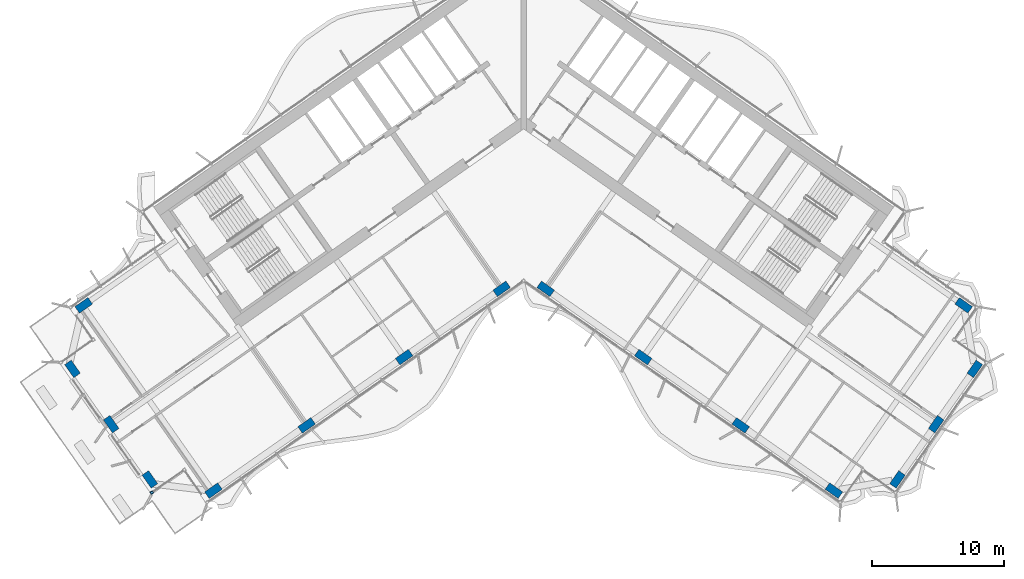
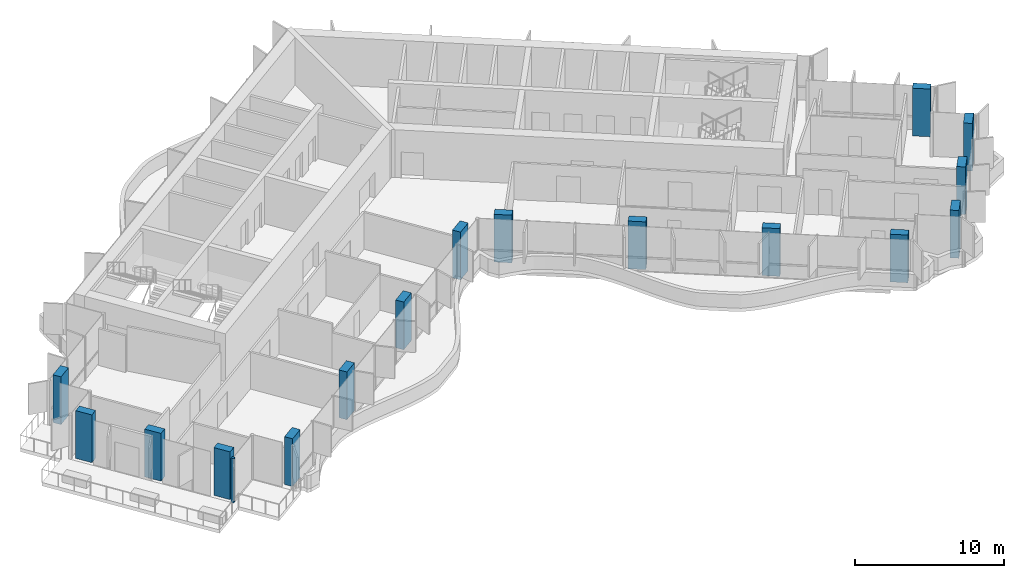
# One storey, part 1 of 22: 16 columns, 1 member, 1 element without a shape of its own.
"""IFC4 building model written with IfcOpenShell, lengths in metres."""

from ifc_helpers import new_model, si_unit, direction, frame, origin, origin_2d, place, context, subcontext, project, spatial, rectangle, extrude, material, material_profile, profile_set, type_object, element, aggregate, save


model = new_model("IFC4")

# Units and contexts
model_context = context("Model", 3, precision=1e-05, world=origin(), true_north=direction((0.0, 1.0)))
body_context = subcontext(model_context, "Body", "Model", "MODEL_VIEW")
ifc_project = project(units=[si_unit("LENGTHUNIT", "METRE"), si_unit("AREAUNIT", "SQUARE_METRE"), si_unit("VOLUMEUNIT", "CUBIC_METRE"), si_unit("PLANEANGLEUNIT", "RADIAN"), si_unit("MASSUNIT", "GRAM", prefix="KILO")], contexts=[model_context])

# Site, building, storey
site_placement = place(None, origin())
site = spatial("IfcSite", under=ifc_project, at=site_placement, CompositionType="ELEMENT")
building_placement = place(site_placement, origin())
building = spatial("IfcBuilding", under=site, at=building_placement, Name="Tel Ilan Convention Tower", CompositionType="ELEMENT")
storey_placement = place(building_placement, frame((0.0, 0.0, 202.199951171875)))
storey = spatial("IfcBuildingStorey", under=building, at=storey_placement, Name="L47", CompositionType="ELEMENT", Elevation=202.199951171875)

# Columns
ifc_material_1 = material(Name="Concrete C50/60", Category="concrete")
ifc_material_profile_1 = material_profile(ifc_material_1, rectangle(XDim=1.199951171875, YDim=0.60009765625, at=origin_2d()), Name="RC 600x1200")
ifc_profile_set_1 = profile_set([ifc_material_profile_1], Name="Concrete C50/60")
column_type = type_object("IfcColumnType", Name="Column RC 600x1200 C50/60", PredefinedType="COLUMN", material=ifc_profile_set_1)
for number, where, z_axis, x_axis, name in (
    (1, (-1.665283203125, -13.312744140625, 0.0), (0.0, 0.0, 1.0), (-0.819152044289, -0.573576436351, 0.0), "L47 column W-F1"),
    (2, (-9.03759765625, -18.474853515625, 0.0), (0.0, 0.0, 1.0), (-0.819152044289, -0.573576436351, 0.0), "L47 column W-F2"),
    (3, (-16.409912109375, -23.63720703125, 0.0), (0.0, 0.0, 1.0), (-0.819152044289, -0.573576436351, 0.0), "L47 column W-F3"),
    (4, (-23.45458984375, -28.56982421875, 0.0), (0.0, 0.0, 1.0), (-0.819152044289, -0.573576436351, 0.0), "L47 column W-FC"),
    (5, (-33.262939453125, -14.5625, 0.0), (0.0, 0.0, 1.0), (-0.819152044289, -0.573576436351, 0.0), "L47 column W-BC"),
    (6, (-28.259521484375, -27.72265625, 0.0), (0.0, 0.0, 1.0), (-0.573576436351, 0.819152044289, 0.0), "L47 column W-E1"),
    (7, (-31.184814453125, -23.544921875, 0.0), (0.0, 0.0, 1.0), (-0.573576436351, 0.819152044289, 0.0), "L47 column W-E2"),
    (8, (-34.110107421875, -19.3671875, 0.0), (0.0, 0.0, 1.0), (-0.573576436351, 0.819152044289, 0.0), "L47 column W-E3"),
    (9, (1.665283203125, -13.312744140625, 0.0), (0.0, 0.0, 1.0), (0.819152044289, -0.573576436351, 0.0), "L47 column E-F1"),
    (10, (9.03759765625, -18.474853515625, 0.0), (0.0, 0.0, 1.0), (0.819152044289, -0.573576436351, 0.0), "L47 column E-F2"),
    (11, (16.409912109375, -23.63720703125, 0.0), (0.0, 0.0, 1.0), (0.819152044289, -0.573576436351, 0.0), "L47 column E-F3"),
    (12, (23.45458984375, -28.56982421875, 0.0), (0.0, 0.0, 1.0), (0.819152044289, -0.573576436351, 0.0), "L47 column E-FC"),
    (13, (33.262939453125, -14.5625, 0.0), (0.0, 0.0, 1.0), (0.819152044289, -0.573576436351, 0.0), "L47 column E-BC"),
    (14, (28.259521484375, -27.72265625, 0.0), (0.0, 0.0, 1.0), (0.573576436351, 0.819152044289, 0.0), "L47 column E-E1"),
    (15, (31.184814453125, -23.544921875, 0.0), (0.0, 0.0, 1.0), (0.573576436351, 0.819152044289, 0.0), "L47 column E-E2"),
    (16, (34.110107421875, -19.3671875, 0.0), (0.0, 0.0, 1.0), (0.573576436351, 0.819152044289, 0.0), "L47 column E-E3"),
):
    element("IfcColumn", number, at=place(storey_placement, frame(where, z_axis=z_axis, x_axis=x_axis)), inside=storey, type_object=column_type, Name=name, PredefinedType="COLUMN", context=body_context, shape_type="SweptSolid", body=[
        extrude(rectangle(XDim=1.199951171875, YDim=0.60009765625, at=origin_2d()), origin(), (0.0, 0.0, 1.0), 3.900146484375),
    ])

# Curtain wall, member
ifc_material_2 = material(Name="Aluminium, bronze anodised", Category="aluminium")
curtain_wall_type = type_object("IfcCurtainWallType", Name="CW4 STICK CURTAIN WALL, OFFICE TINTED GLASS", PredefinedType="NOTDEFINED", material=ifc_material_2)
curtain_wall_placement = place(storey_placement, origin())
curtain_wall = element("IfcCurtainWall", 17, at=curtain_wall_placement, inside=storey, type_object=curtain_wall_type, Name="Curtain wall CW4-37.04", PredefinedType="NOTDEFINED")
ifc_material_3 = material(Name="Aluminium, bronze anodised", Category="aluminium")
ifc_material_profile_2 = material_profile(ifc_material_3, rectangle(XDim=0.199951171875, YDim=0.199951171875, at=origin_2d()), Name="CW CORNER MULLION 200x200")
ifc_profile_set_2 = profile_set([ifc_material_profile_2], Name="Aluminium, bronze anodised")
member_type = type_object("IfcMemberType", Name="CW CORNER MULLION 200x200", PredefinedType="MULLION", material=ifc_profile_set_2)
member_placement = place(storey_placement, frame((-28.112060546875, -28.718017578125, 0.0), z_axis=(0.0, 0.0, 1.0), x_axis=(0.573576436351, -0.819152044289, 0.0)))
member = element("IfcMember", 18, at=member_placement, type_object=member_type, Name="Corner mullion", PredefinedType="MULLION", context=body_context, shape_type="SweptSolid", body=[
    extrude(rectangle(XDim=0.199951171875, YDim=0.199951171875, at=origin_2d()), origin(), (0.0, 0.0, 1.0), 3.6201171875),
])
aggregate(curtain_wall, [member])

save(model, "model.ifc")
